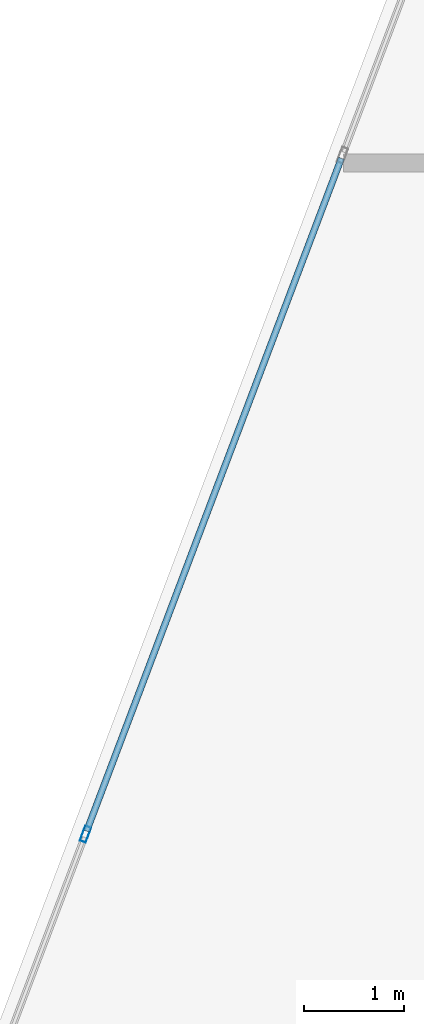
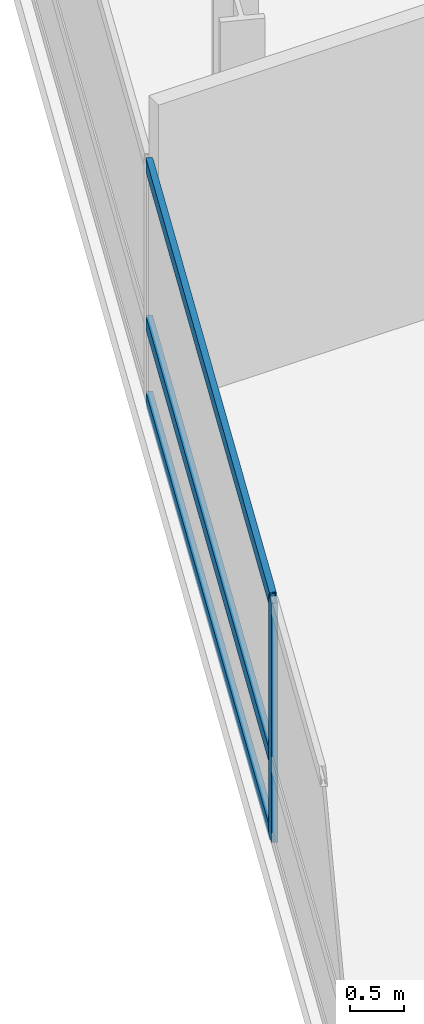
# One storey, part 6 of 26: 4 members, 1 element without a shape of its own.
"""IFC4 building model written with IfcOpenShell, lengths in metres."""

from ifc_helpers import new_model, si_unit, direction, frame, origin, origin_2d, place, context, subcontext, project, spatial, hollow_rectangle, extrude, material, layer, layer_set, material_profile, profile_set, type_object, element, aggregate, save


model = new_model("IFC4")

# Units and contexts
model_context = context("Model", 3, precision=1e-05, world=origin(), true_north=direction((0.0, 1.0)))
body_context = subcontext(model_context, "Body", "Model", "MODEL_VIEW")
ifc_project = project(units=[si_unit("LENGTHUNIT", "METRE"), si_unit("AREAUNIT", "SQUARE_METRE"), si_unit("VOLUMEUNIT", "CUBIC_METRE"), si_unit("PLANEANGLEUNIT", "RADIAN"), si_unit("MASSUNIT", "GRAM", prefix="KILO")], contexts=[model_context])

# Site, building, storey
site_placement = place(None, origin())
site = spatial("IfcSite", under=ifc_project, at=site_placement, CompositionType="ELEMENT")
building_placement = place(site_placement, origin())
building = spatial("IfcBuilding", under=site, at=building_placement, Name="Varnelok Gate Tower", CompositionType="ELEMENT")
storey_placement = place(building_placement, frame((0.0, 0.0, 109.5)))
storey = spatial("IfcBuildingStorey", under=building, at=storey_placement, Name="L27", CompositionType="ELEMENT", Elevation=109.5)

# Curtain wall, members
ifc_material = material(Name="Anodized Aluminum Alloy 6063-T6", Category="aluminium")
ifc_layer = layer(ifc_material, 0.179931640625)
ifc_layer_set = layer_set([ifc_layer], Name="Anodized Aluminum Alloy 6063-T6")
curtain_wall_type = type_object("IfcCurtainWallType", Name="CW3-HOTEL-VISION", PredefinedType="USERDEFINED", material=ifc_layer_set)
curtain_wall_placement = place(storey_placement, origin())
curtain_wall = element("IfcCurtainWall", 1, at=curtain_wall_placement, inside=storey, type_object=curtain_wall_type, Name="L27 West End Vision Curtain Wall", ObjectType="UNITISED CURTAIN WALL", PredefinedType="USERDEFINED")
ifc_material_profile_1 = material_profile(ifc_material, hollow_rectangle(XDim=0.06494140625, YDim=0.159912109375, WallThickness=0.00390625, at=origin_2d()), Name="ALU160X65X4")
ifc_profile_set_1 = profile_set([ifc_material_profile_1], Name="Anodized Aluminum Alloy 6063-T6")
member_type_1 = type_object("IfcMemberType", Name="CW-MULL-160", PredefinedType="MULLION", material=ifc_profile_set_1)
member_1_placement = place(storey_placement, frame((3.072021484375, 35.10693359375, 0.0), z_axis=(0.0, 0.0, 1.0), x_axis=(-0.935221323688, 0.354063660545, 0.0)))
member_1 = element("IfcMember", 2, at=member_1_placement, type_object=member_type_1, Name="CW3 mullion 3", PredefinedType="MULLION", context=body_context, shape_type="SweptSolid", body=[
    extrude(hollow_rectangle(XDim=0.06494140625, YDim=0.159912109375, WallThickness=0.00390625, at=origin_2d()), origin(), (0.0, 0.0, 1.0), 2.72998046875),
])
ifc_material_profile_2 = material_profile(ifc_material, hollow_rectangle(XDim=0.06494140625, YDim=0.159912109375, WallThickness=0.00390625, at=origin_2d()), Name="ALU160X65X4")
ifc_profile_set_2 = profile_set([ifc_material_profile_2], Name="Anodized Aluminum Alloy 6063-T6")
member_type_2 = type_object("IfcMemberType", Name="CW-TRAN-160", PredefinedType="USERDEFINED", material=ifc_profile_set_2)
member_2_placement = place(storey_placement, frame((3.08349609375, 35.13720703125, 0.032470703125), z_axis=(0.354048963644, 0.935226887628, 0.0), x_axis=(-0.935226887628, 0.354048963644, 0.0)))
member_2 = element("IfcMember", 3, at=member_2_placement, type_object=member_type_2, Name="CW3 transom 3.1", ObjectType="TRANSOM", PredefinedType="USERDEFINED", context=body_context, shape_type="SweptSolid", body=[
    extrude(hollow_rectangle(XDim=0.06494140625, YDim=0.159912109375, WallThickness=0.00390625, at=origin_2d()), origin(), (0.0, 0.0, 1.0), 7.175048828125),
])
member_3_placement = place(storey_placement, frame((3.08349609375, 35.13720703125, 0.89990234375), z_axis=(0.354048963644, 0.935226887628, 0.0), x_axis=(-0.935226887628, 0.354048963644, 0.0)))
member_3 = element("IfcMember", 4, at=member_3_placement, type_object=member_type_2, Name="CW3 transom 3.2", ObjectType="TRANSOM", PredefinedType="USERDEFINED", context=body_context, shape_type="SweptSolid", body=[
    extrude(hollow_rectangle(XDim=0.06494140625, YDim=0.159912109375, WallThickness=0.00390625, at=origin_2d()), origin(), (0.0, 0.0, 1.0), 7.175048828125),
])
member_4_placement = place(storey_placement, frame((3.08349609375, 35.13720703125, 2.697509765625), z_axis=(0.354048963644, 0.935226887628, 0.0), x_axis=(-0.935226887628, 0.354048963644, 0.0)))
member_4 = element("IfcMember", 5, at=member_4_placement, type_object=member_type_2, Name="CW3 transom 3.3", ObjectType="TRANSOM", PredefinedType="USERDEFINED", context=body_context, shape_type="SweptSolid", body=[
    extrude(hollow_rectangle(XDim=0.06494140625, YDim=0.159912109375, WallThickness=0.00390625, at=origin_2d()), origin(), (0.0, 0.0, 1.0), 7.175048828125),
])
aggregate(curtain_wall, [member_1, member_2, member_3, member_4])

save(model, "model.ifc")
